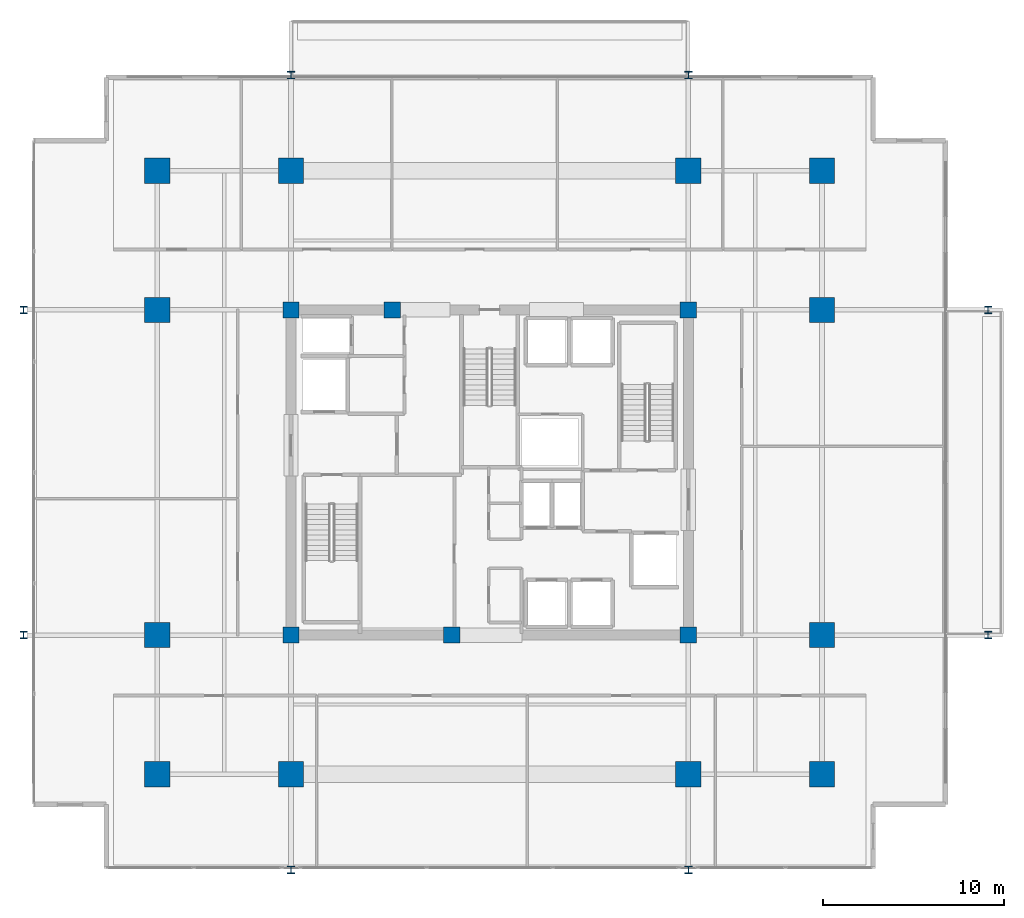
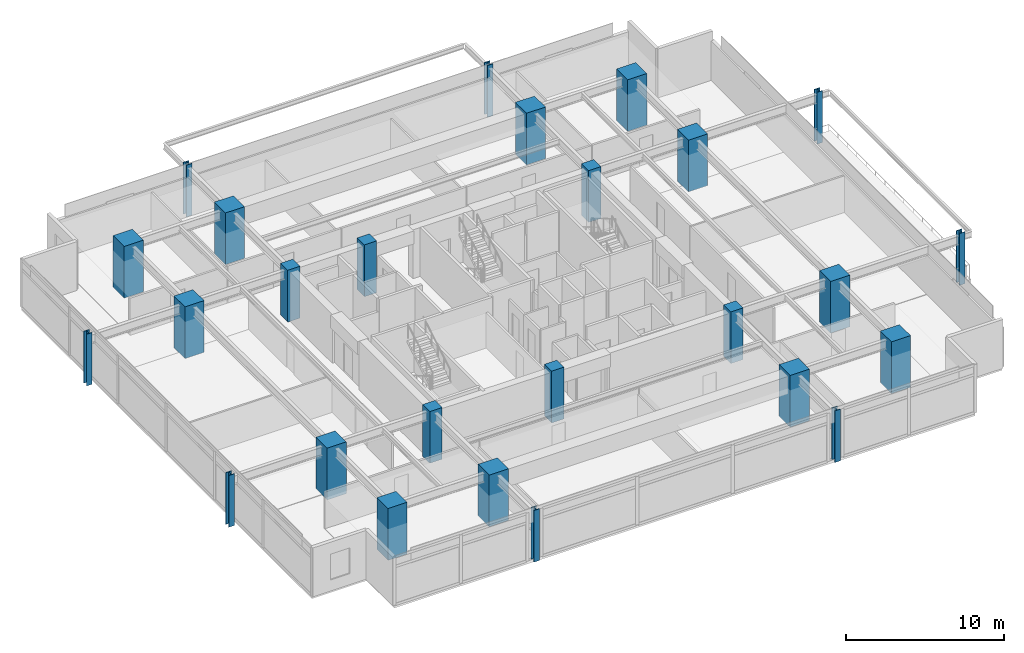
# One storey, part 1 of 20: 26 columns.
"""IFC4 building model written with IfcOpenShell, lengths in metres."""

from ifc_helpers import new_model, si_unit, direction, frame, origin, origin_2d, place, context, subcontext, project, spatial, rectangle, i_section, extrude, material, material_profile, profile_set, type_object, element, save


model = new_model("IFC4")

# Units and contexts
model_context = context("Model", 3, precision=1e-05, world=origin(), true_north=direction((0.0, 1.0)))
body_context = subcontext(model_context, "Body", "Model", "MODEL_VIEW")
ifc_project = project(units=[si_unit("LENGTHUNIT", "METRE"), si_unit("AREAUNIT", "SQUARE_METRE"), si_unit("VOLUMEUNIT", "CUBIC_METRE"), si_unit("PLANEANGLEUNIT", "RADIAN"), si_unit("MASSUNIT", "GRAM", prefix="KILO")], contexts=[model_context])

# Site, building, storey
site_placement = place(None, origin())
site = spatial("IfcSite", under=ifc_project, at=site_placement, CompositionType="ELEMENT")
building_placement = place(site_placement, origin())
building = spatial("IfcBuilding", under=site, at=building_placement, Name="Kovane Verandah Tower", CompositionType="ELEMENT")
storey_placement = place(building_placement, frame((0.0, 0.0, 213.199951171875)))
storey = spatial("IfcBuildingStorey", under=building, at=storey_placement, Name="L49", CompositionType="ELEMENT", Elevation=213.199951171875)

# Columns
ifc_material_1 = material(Name="Concrete C60/75", Category="concrete")
ifc_material_profile_1 = material_profile(ifc_material_1, rectangle(XDim=1.39990234375, YDim=1.39990234375, at=origin_2d()), Name="RC1400x1400")
ifc_profile_set_1 = profile_set([ifc_material_profile_1], Name="Concrete C60/75")
column_type_1 = type_object("IfcColumnType", Name="COL-RC1400", PredefinedType="COLUMN", material=ifc_profile_set_1)
for number, where, z_axis, x_axis, name in (
    (1, (29.0, 10.800048828125, 0.0), (0.0, 0.0, 1.0), (1.0, 0.0, 0.0), "L49 Tower Mega-Column MC-S1"),
    (2, (51.0, 10.800048828125, 0.0), (0.0, 0.0, 1.0), (1.0, 0.0, 0.0), "L49 Tower Mega-Column MC-S2"),
    (3, (29.0, 44.199951171875, 0.0), (0.0, 0.0, 1.0), (1.0, 0.0, 0.0), "L49 Tower Mega-Column MC-N1"),
    (4, (51.0, 44.199951171875, 0.0), (0.0, 0.0, 1.0), (1.0, 0.0, 0.0), "L49 Tower Mega-Column MC-N2"),
    (5, (21.60009765625, 18.5, 0.0), (0.0, 0.0, 1.0), (1.0, 0.0, 0.0), "L49 Tower Mega-Column MC-W1"),
    (6, (21.60009765625, 36.5, 0.0), (0.0, 0.0, 1.0), (1.0, 0.0, 0.0), "L49 Tower Mega-Column MC-W2"),
    (7, (58.39990234375, 18.5, 0.0), (0.0, 0.0, 1.0), (1.0, 0.0, 0.0), "L49 Tower Mega-Column MC-E1"),
    (8, (58.39990234375, 36.5, 0.0), (0.0, 0.0, 1.0), (1.0, 0.0, 0.0), "L49 Tower Mega-Column MC-E2"),
    (9, (21.60009765625, 10.800048828125, 0.0), (0.0, 0.0, 1.0), (1.0, 0.0, 0.0), "L49 Tower Mega-Column MC-SW"),
    (10, (58.39990234375, 10.800048828125, 0.0), (0.0, 0.0, 1.0), (1.0, 0.0, 0.0), "L49 Tower Mega-Column MC-SE"),
    (11, (21.60009765625, 44.199951171875, 0.0), (0.0, 0.0, 1.0), (1.0, 0.0, 0.0), "L49 Tower Mega-Column MC-NW"),
    (12, (58.39990234375, 44.199951171875, 0.0), (0.0, 0.0, 1.0), (1.0, 0.0, 0.0), "L49 Tower Mega-Column MC-NE"),
):
    element("IfcColumn", number, at=place(storey_placement, frame(where, z_axis=z_axis, x_axis=x_axis)), inside=storey, type_object=column_type_1, Name=name, PredefinedType="COLUMN", context=body_context, shape_type="SweptSolid", body=[
        extrude(rectangle(XDim=1.39990234375, YDim=1.39990234375, at=origin_2d()), origin(), (0.0, 0.0, 1.0), 4.0),
    ])
ifc_material_2 = material(Name="Steel S460", Category="steel")
ifc_material_profile_2 = material_profile(ifc_material_2, i_section(OverallWidth=0.403076171875, OverallDepth=0.406494140625, WebThickness=0.026611328125, FlangeThickness=0.04296875, FilletRadius=0.01513671875, at=origin_2d()), Name="UC356x406x340")
ifc_profile_set_2 = profile_set([ifc_material_profile_2], Name="Steel S460")
column_type_2 = type_object("IfcColumnType", Name="COL-UC340", PredefinedType="COLUMN", material=ifc_profile_set_2)
for number, where, z_axis, x_axis, name in (
    (13, (14.199951171875, 18.5, 0.0), (0.0, 0.0, 1.0), (1.0, 0.0, 0.0), "L49 Verandah Perimeter Column VC-W1"),
    (14, (14.199951171875, 36.5, 0.0), (0.0, 0.0, 1.0), (1.0, 0.0, 0.0), "L49 Verandah Perimeter Column VC-W2"),
    (15, (67.60009765625, 18.5, 0.0), (0.0, 0.0, 1.0), (1.0, 0.0, 0.0), "L49 Verandah Perimeter Column VC-E1"),
    (16, (67.60009765625, 36.5, 0.0), (0.0, 0.0, 1.0), (1.0, 0.0, 0.0), "L49 Verandah Perimeter Column VC-E2"),
    (17, (29.0, 5.5, 0.0), (0.0, 0.0, 1.0), (1.0, 0.0, 0.0), "L49 Verandah Perimeter Column VC-S1"),
    (18, (51.0, 5.5, 0.0), (0.0, 0.0, 1.0), (1.0, 0.0, 0.0), "L49 Verandah Perimeter Column VC-S2"),
    (19, (29.0, 49.5, 0.0), (0.0, 0.0, 1.0), (1.0, 0.0, 0.0), "L49 Verandah Perimeter Column VC-N1"),
    (20, (51.0, 49.5, 0.0), (0.0, 0.0, 1.0), (1.0, 0.0, 0.0), "L49 Verandah Perimeter Column VC-N2"),
):
    element("IfcColumn", number, at=place(storey_placement, frame(where, z_axis=z_axis, x_axis=x_axis)), inside=storey, type_object=column_type_2, Name=name, PredefinedType="COLUMN", context=body_context, shape_type="SweptSolid", body=[
        extrude(i_section(OverallWidth=0.403076171875, OverallDepth=0.406494140625, WebThickness=0.026611328125, FlangeThickness=0.04296875, FilletRadius=0.01513671875, at=origin_2d()), origin(), (0.0, 0.0, 1.0), 4.0),
    ])
ifc_material_profile_3 = material_profile(ifc_material_1, rectangle(XDim=0.89990234375, YDim=0.89990234375, at=origin_2d()), Name="RC900x900")
ifc_profile_set_3 = profile_set([ifc_material_profile_3], Name="Concrete C60/75")
column_type_3 = type_object("IfcColumnType", Name="PIL-RC900", PredefinedType="PILASTER", material=ifc_profile_set_3)
for number, where, z_axis, x_axis, name in (
    (21, (29.0, 18.5, 0.0), (0.0, 0.0, 1.0), (1.0, 0.0, 0.0), "L49 Core Pilaster CP-SW"),
    (22, (51.0, 18.5, 0.0), (0.0, 0.0, 1.0), (1.0, 0.0, 0.0), "L49 Core Pilaster CP-SE"),
    (23, (29.0, 36.5, 0.0), (0.0, 0.0, 1.0), (1.0, 0.0, 0.0), "L49 Core Pilaster CP-NW"),
    (24, (51.0, 36.5, 0.0), (0.0, 0.0, 1.0), (1.0, 0.0, 0.0), "L49 Core Pilaster CP-NE"),
    (25, (37.89990234375, 18.5, 0.0), (0.0, 0.0, 1.0), (1.0, 0.0, 0.0), "L49 Core Pilaster CP-S"),
    (26, (34.60009765625, 36.5, 0.0), (0.0, 0.0, 1.0), (1.0, 0.0, 0.0), "L49 Core Pilaster CP-N"),
):
    element("IfcColumn", number, at=place(storey_placement, frame(where, z_axis=z_axis, x_axis=x_axis)), inside=storey, type_object=column_type_3, Name=name, PredefinedType="PILASTER", context=body_context, shape_type="SweptSolid", body=[
        extrude(rectangle(XDim=0.89990234375, YDim=0.89990234375, at=origin_2d()), origin(), (0.0, 0.0, 1.0), 4.0),
    ])

save(model, "model.ifc")
